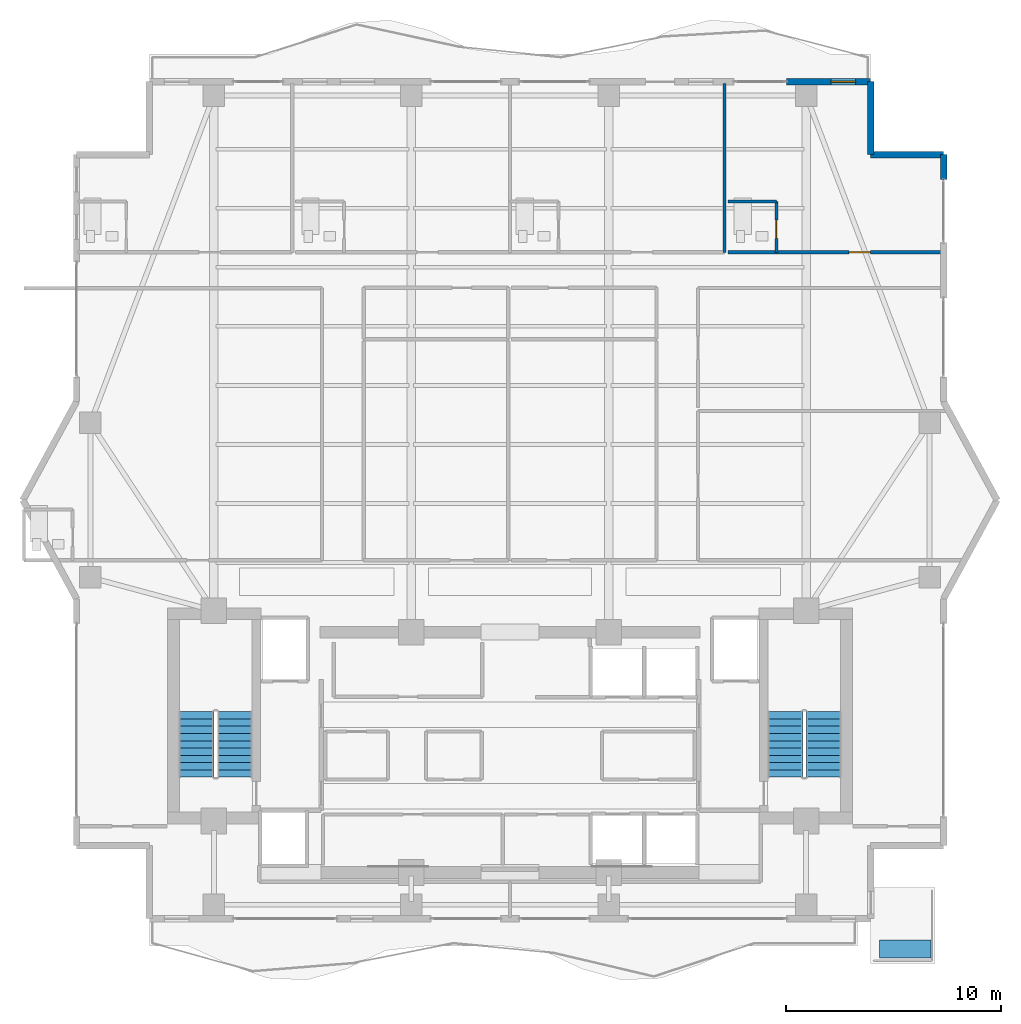
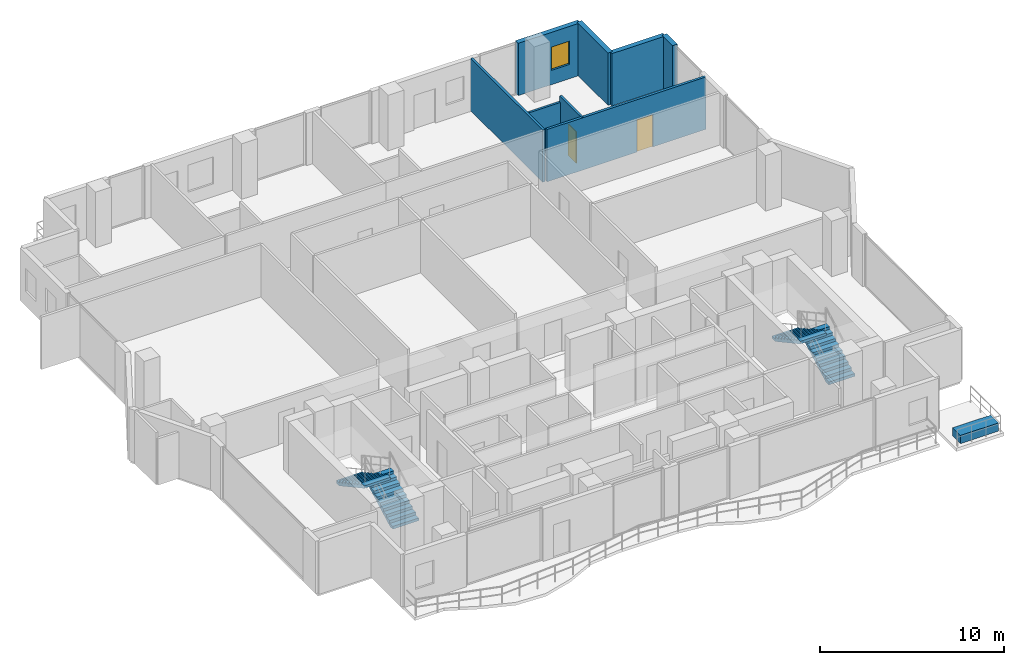
# One storey, part 22 of 25: 8 walls, 4 stair flights, 2 doors, 1 building element part, 1 window, 3 openings, 2 elements without a shape of their own.
"""IFC4 building model written with IfcOpenShell, lengths in metres."""

from ifc_helpers import new_model, si_unit, direction, frame, frame_2d, origin, origin_2d, place, context, subcontext, project, spatial, polyline, rectangle, outline, extrude, material, layer, layer_set, type_object, element, fill, aggregate, save


model = new_model("IFC4")

# Units and contexts
model_context = context("Model", 3, precision=1e-05, world=origin(), true_north=direction((0.0, 1.0)))
body_context = subcontext(model_context, "Body", "Model", "MODEL_VIEW")
ifc_project = project(units=[si_unit("LENGTHUNIT", "METRE"), si_unit("AREAUNIT", "SQUARE_METRE"), si_unit("VOLUMEUNIT", "CUBIC_METRE"), si_unit("PLANEANGLEUNIT", "RADIAN"), si_unit("MASSUNIT", "GRAM", prefix="KILO")], contexts=[model_context])

# Site, building, storey
site_placement = place(None, origin())
site = spatial("IfcSite", under=ifc_project, at=site_placement, CompositionType="ELEMENT")
building_placement = place(site_placement, origin())
building = spatial("IfcBuilding", under=site, at=building_placement, Name="Zuhayl Quay Hotel", CompositionType="ELEMENT")
storey_placement = place(building_placement, frame((0.0, 0.0, 258.14990234375)))
storey = spatial("IfcBuildingStorey", under=building, at=storey_placement, Name="L65", CompositionType="ELEMENT", Elevation=258.14990234375)

# Wall, opening, window
ifc_material_1 = material(Name="Precast concrete C45/55", Category="concrete")
ifc_layer_1 = layer(ifc_material_1, 0.300048828125, Name="Precast concrete C45/55", Category="concrete")
ifc_layer_set_1 = layer_set([ifc_layer_1], Name="Precast concrete C45/55")
wall_type_1 = type_object("IfcWallType", Name="WL_EXT_300", PredefinedType="STANDARD", material=ifc_layer_set_1)
wall_1_placement = place(storey_placement, frame((12.8798828125, 39.0, 0.0), z_axis=(0.0, 0.0, 1.0), x_axis=(1.0, 0.0, 0.0)))
wall_1 = element("IfcWall", 1, at=wall_1_placement, inside=storey, type_object=wall_type_1, Name="L65 Exterior Precast Wall ENV_L65_N_EW5", PredefinedType="STANDARD", context=body_context, shape_type="SweptSolid", body=[
    extrude(rectangle(XDim=3.920166015625, YDim=0.300048828125, at=frame_2d((1.9599609375, 0.0))), origin(), (0.0, 0.0, 1.0), 3.47998046875),
])
opening_1_placement = place(wall_1_placement, frame((2.074951171875, 0.0, 0.949951171875)))
opening_1 = element("IfcOpeningElement", 2, at=opening_1_placement, cuts=wall_1, Name="Opening W01N", PredefinedType="OPENING", context=body_context, shape_type="SweptSolid", body=[
    extrude(rectangle(XDim=1.14990234375, YDim=1.550048828125, at=frame_2d((0.574951171875, 0.77490234375))), frame((0.0, 0.159912109375, 0.0), z_axis=(0.0, -1.0, 0.0), x_axis=(1.0, 0.0, 0.0)), (0.0, 0.0, 1.0), 0.320068359375),
])
ifc_material_2 = material(Name="Dark Ceramic-Fritted Solar Glass", Category="glass")
window_type = type_object("IfcWindowType", Name="WN_NOTCH_1350", PartitioningType="SINGLE_PANEL", PredefinedType="WINDOW", material=ifc_material_2)
window_placement = place(opening_1_placement, origin())
window = element("IfcWindow", 3, at=window_placement, inside=storey, type_object=window_type, Name="L65 Operable Facade Window 5-1", OverallHeight=1.550048828125, OverallWidth=1.14990234375, PartitioningType="SINGLE_PANEL", PredefinedType="WINDOW", context=body_context, shape_type="SweptSolid", body=[
    extrude(rectangle(XDim=1.14990234375, YDim=1.550048828125, at=frame_2d((0.574951171875, 0.77490234375))), frame((0.0, 0.030029296875, 0.0), z_axis=(0.0, -1.0, 0.0), x_axis=(1.0, 0.0, 0.0)), (0.0, 0.0, 1.0), 0.06005859375),
])
fill(opening_1, window)

# Walls
for number, where, z_axis, x_axis, name in (
    (4, (16.800048828125, 39.0, 0.0), (0.0, 0.0, 1.0), (0.0, -1.0, 0.0), "L65 Exterior Precast Wall ENV_L65_EW09"),
    (5, (16.800048828125, 35.60009765625, 0.0), (0.0, 0.0, 1.0), (1.0, 0.0, 0.0), "L65 Exterior Precast Wall ENV_L65_EW10"),
):
    element("IfcWall", number, at=place(storey_placement, frame(where, z_axis=z_axis, x_axis=x_axis)), inside=storey, type_object=wall_type_1, Name=name, PredefinedType="STANDARD", context=body_context, shape_type="SweptSolid", body=[
        extrude(rectangle(XDim=3.39990234375, YDim=0.300048828125, at=frame_2d((1.699951171875, 0.0))), origin(), (0.0, 0.0, 1.0), 3.47998046875),
    ])
wall_2_placement = place(storey_placement, frame((20.199951171875, 35.60009765625, 0.0), z_axis=(0.0, 0.0, 1.0), x_axis=(0.0, -1.0, 0.0)))
element("IfcWall", 6, at=wall_2_placement, inside=storey, type_object=wall_type_1, Name="L65 Exterior Precast Wall ENV_L65_E11_EW1", PredefinedType="STANDARD", context=body_context, shape_type="SweptSolid", body=[
    extrude(rectangle(XDim=1.150146484375, YDim=0.300048828125, at=frame_2d((0.5751953125, 0.0))), origin(), (0.0, 0.0, 1.0), 3.47998046875),
])
ifc_material_3 = material(Name="Acoustic Gypsum Partition STC-58")
ifc_layer_2 = layer(ifc_material_3, 0.14990234375, Name="Acoustic Gypsum Partition STC-58")
ifc_layer_set_2 = layer_set([ifc_layer_2], Name="Acoustic Gypsum Partition STC-58")
wall_type_2 = type_object("IfcWallType", Name="WL_PART_150", PredefinedType="PARTITIONING", material=ifc_layer_set_2)
wall_3_placement = place(storey_placement, frame((9.989990234375, 31.050048828125, 0.0), z_axis=(0.0, 0.0, 1.0), x_axis=(0.0, 1.0, 0.0)))
element("IfcWall", 7, at=wall_3_placement, inside=storey, type_object=wall_type_2, Name="L65 Partition IW_L65_NU02A_E", PredefinedType="PARTITIONING", context=body_context, shape_type="SweptSolid", body=[
    extrude(rectangle(XDim=7.869873046875, YDim=0.14990234375, at=frame_2d((3.93505859375, 0.0))), origin(), (0.0, 0.0, 1.0), 3.47998046875),
])

# Wall, opening, door
ifc_layer_3 = layer(ifc_material_3, 0.159912109375, Name="Acoustic Gypsum Partition STC-58")
ifc_layer_set_3 = layer_set([ifc_layer_3], Name="Acoustic Gypsum Partition STC-58")
wall_type_3 = type_object("IfcWallType", Name="WL_PART_CORR_160", PredefinedType="PARTITIONING", material=ifc_layer_set_3)
wall_4_placement = place(storey_placement, frame((10.14990234375, 31.050048828125, 0.0), z_axis=(0.0, 0.0, 1.0), x_axis=(1.0, 0.0, 0.0)))
wall_4 = element("IfcWall", 8, at=wall_4_placement, inside=storey, type_object=wall_type_3, Name="L65 Partition IW_L65_NU02B_COR", PredefinedType="PARTITIONING", context=body_context, shape_type="SweptSolid", body=[
    extrude(rectangle(XDim=9.989990234375, YDim=0.159912109375, at=frame_2d((4.9951171875, 0.0))), origin(), (0.0, 0.0, 1.0), 3.47998046875),
])
opening_2_placement = place(wall_4_placement, frame((5.64501953125, 0.0, 0.0)))
opening_2 = element("IfcOpeningElement", 9, at=opening_2_placement, cuts=wall_4, Name="Opening D03L", PredefinedType="OPENING", context=body_context, shape_type="SweptSolid", body=[
    extrude(rectangle(XDim=1.0, YDim=2.14990234375, at=frame_2d((0.5, 1.074951171875))), frame((0.0, 0.08984375, 0.0), z_axis=(0.0, -1.0, 0.0), x_axis=(1.0, 0.0, 0.0)), (0.0, 0.0, 1.0), 0.179931640625),
])
ifc_material_4 = material(Name="Solid Walnut Acoustic Fire Door")
door_type_1 = type_object("IfcDoorType", Name="DR_SUITE_1000", OperationType="NOTDEFINED", PredefinedType="DOOR", material=ifc_material_4)
door_1_placement = place(opening_2_placement, origin())
door_1 = element("IfcDoor", 10, at=door_1_placement, inside=storey, type_object=door_type_1, Name="L65 Royal Gulf Suite L65-02B Entrance Door", OperationType="SINGLE_SWING_LEFT", OverallHeight=2.14990234375, OverallWidth=1.0, PredefinedType="DOOR", context=body_context, shape_type="SweptSolid", body=[
    extrude(rectangle(XDim=1.0, YDim=2.14990234375, at=frame_2d((0.5, 1.074951171875))), frame((0.0, 0.02490234375, 0.0), z_axis=(0.0, -1.0, 0.0), x_axis=(1.0, 0.0, 0.0)), (0.0, 0.0, 1.0), 0.050048828125),
])
fill(opening_2, door_1)

ifc_material_5 = material(Name="Moisture-Resistant Sanitarychase Gypsum")
ifc_layer_4 = layer(ifc_material_5, 0.135009765625, Name="Moisture-Resistant Sanitarychase Gypsum")
ifc_layer_set_4 = layer_set([ifc_layer_4], Name="Moisture-Resistant Sanitarychase Gypsum")
wall_type_4 = type_object("IfcWallType", Name="WL_PART_PLUMB_150", PredefinedType="PLUMBINGWALL", material=ifc_layer_set_4)
wall_5_placement = place(storey_placement, frame((12.409912109375, 31.050048828125, 0.0), z_axis=(0.0, 0.0, 1.0), x_axis=(0.0, 1.0, 0.0)))
wall_5 = element("IfcWall", 11, at=wall_5_placement, inside=storey, type_object=wall_type_4, Name="L65 Partition IW_L65_NU02B_BE", PredefinedType="PLUMBINGWALL", context=body_context, shape_type="SweptSolid", body=[
    extrude(rectangle(XDim=2.35986328125, YDim=0.135009765625, at=frame_2d((1.179931640625, 0.0))), origin(), (0.0, 0.0, 1.0), 3.47998046875),
])
opening_3_placement = place(wall_5_placement, frame((0.64990234375, 0.0, 0.0)))
opening_3 = element("IfcOpeningElement", 12, at=opening_3_placement, cuts=wall_5, Name="Opening D04", PredefinedType="OPENING", context=body_context, shape_type="SweptSolid", body=[
    extrude(rectangle(XDim=0.85009765625, YDim=2.10009765625, at=frame_2d((0.425048828125, 1.050048828125))), frame((0.0, 0.077392578125, 0.0), z_axis=(0.0, -1.0, 0.0), x_axis=(1.0, 0.0, 0.0)), (0.0, 0.0, 1.0), 0.155029296875),
])
ifc_material_6 = material(Name="Moisture-Resistant Walnut Veneer")
door_type_2 = type_object("IfcDoorType", Name="DR_BATH_850", OperationType="NOTDEFINED", PredefinedType="DOOR", material=ifc_material_6)
door_2_placement = place(opening_3_placement, origin())
door_2 = element("IfcDoor", 13, at=door_2_placement, inside=storey, type_object=door_type_2, Name="L65 Royal Gulf Suite L65-02B En-Suite Door", OperationType="SINGLE_SWING_RIGHT", OverallHeight=2.10009765625, OverallWidth=0.85009765625, PredefinedType="DOOR", context=body_context, shape_type="SweptSolid", body=[
    extrude(rectangle(XDim=0.85009765625, YDim=2.10009765625, at=frame_2d((0.425048828125, 1.050048828125))), frame((0.0, 0.02490234375, 0.0), z_axis=(0.0, -1.0, 0.0), x_axis=(1.0, 0.0, 0.0)), (0.0, 0.0, 1.0), 0.050048828125),
])
fill(opening_3, door_2)

# Wall
wall_6_placement = place(storey_placement, frame((10.14990234375, 33.409912109375, 0.0), z_axis=(0.0, 0.0, 1.0), x_axis=(1.0, 0.0, 0.0)))
element("IfcWall", 14, at=wall_6_placement, inside=storey, type_object=wall_type_4, Name="L65 Partition IW_L65_NU02B_BN", PredefinedType="PLUMBINGWALL", context=body_context, shape_type="SweptSolid", body=[
    extrude(rectangle(XDim=2.260009765625, YDim=0.135009765625, at=frame_2d((1.1298828125, 0.0))), origin(), (0.0, 0.0, 1.0), 3.076171875),
])

# Stair, stair flights
ifc_material_7 = material(Name="Concrete C45/55", Category="concrete")
stair_type = type_object("IfcStairType", Name="ST_DOGLEG_TOWER", PredefinedType="HALF_TURN_STAIR", material=ifc_material_7)
stair_1_placement = place(storey_placement, origin())
stair_1 = element("IfcStair", 15, at=stair_1_placement, inside=storey, type_object=stair_type, Name="L65 Smokeproof Exit Stair ST1", PredefinedType="HALF_TURN_STAIR")
ifc_layer_5 = layer(ifc_material_7, 0.159912109375, Name="Concrete C45/55", Category="concrete")
ifc_layer_set_5 = layer_set([ifc_layer_5], Name="Concrete C45/55")
stair_flight_type = type_object("IfcStairFlightType", Name="SF_CONC_164", PredefinedType="STRAIGHT", material=ifc_layer_set_5)
stair_flight_1_placement = place(storey_placement, frame((-12.820068359375, 6.590087890625, 0.0), z_axis=(0.0, 0.0, 1.0), x_axis=(0.0, 1.0, 0.0)))
stair_flight_1 = element("IfcStairFlight", 16, at=stair_flight_1_placement, type_object=stair_flight_type, Name="ST1 flight 1", NumberOfRisers=10, NumberOfTreads=9, PredefinedType="STRAIGHT", RiserHeight=0.185, TreadLength=0.34, context=body_context, shape_type="SweptSolid", body=[
    extrude(outline(polyline([(0.0, 0.0), (0.0, 0.18505859375), (0.340087890625, 0.18505859375), (0.340087890625, 0.3701171875), (0.679931640625, 0.3701171875), (0.679931640625, 0.554931640625), (1.02001953125, 0.554931640625), (1.02001953125, 0.739990234375), (1.360107421875, 0.739990234375), (1.360107421875, 0.925048828125), (1.699951171875, 0.925048828125), (1.699951171875, 1.110107421875), (2.0400390625, 1.110107421875), (2.0400390625, 1.294921875), (2.3798828125, 1.294921875), (2.3798828125, 1.47998046875), (2.719970703125, 1.47998046875), (2.719970703125, 1.6650390625), (3.06005859375, 1.6650390625), (3.06005859375, 1.85009765625), (3.06005859375, 1.494384765625), (0.313720703125, 0.0), (0.0, 0.0)])), frame((0.0, 0.81982421875, 0.0), z_axis=(0.0, -1.0, 0.0), x_axis=(1.0, 0.0, 0.0)), (0.0, 0.0, 1.0), 1.639892578125),
])
stair_flight_2_placement = place(storey_placement, frame((-14.610107421875, 9.64990234375, 1.85009765625), z_axis=(0.0, 0.0, 1.0), x_axis=(0.0, -1.0, 0.0)))
stair_flight_2 = element("IfcStairFlight", 17, at=stair_flight_2_placement, type_object=stair_flight_type, Name="ST1 flight 2", NumberOfRisers=10, NumberOfTreads=9, PredefinedType="STRAIGHT", RiserHeight=0.185, TreadLength=0.34, context=body_context, shape_type="SweptSolid", body=[
    extrude(outline(polyline([(0.0, 0.0), (0.0, 0.18505859375), (0.340087890625, 0.18505859375), (0.340087890625, 0.3701171875), (0.679931640625, 0.3701171875), (0.679931640625, 0.554931640625), (1.02001953125, 0.554931640625), (1.02001953125, 0.739990234375), (1.360107421875, 0.739990234375), (1.360107421875, 0.925048828125), (1.699951171875, 0.925048828125), (1.699951171875, 1.110107421875), (2.0400390625, 1.110107421875), (2.0400390625, 1.294921875), (2.3798828125, 1.294921875), (2.3798828125, 1.47998046875), (2.719970703125, 1.47998046875), (2.719970703125, 1.6650390625), (3.06005859375, 1.6650390625), (3.06005859375, 1.85009765625), (3.06005859375, 1.494384765625), (0.313720703125, 0.0), (0.0, 0.0)])), frame((0.0, 0.81982421875, 0.0), z_axis=(0.0, -1.0, 0.0), x_axis=(1.0, 0.0, 0.0)), (0.0, 0.0, 1.0), 1.639892578125),
])
aggregate(stair_1, [stair_flight_1, stair_flight_2])

stair_2_placement = place(storey_placement, origin())
stair_2 = element("IfcStair", 18, at=stair_2_placement, inside=storey, type_object=stair_type, Name="L65 Smokeproof Exit Stair ST2", PredefinedType="HALF_TURN_STAIR")
stair_flight_3_placement = place(storey_placement, frame((14.610107421875, 6.590087890625, 0.0), z_axis=(0.0, 0.0, 1.0), x_axis=(0.0, 1.0, 0.0)))
stair_flight_3 = element("IfcStairFlight", 19, at=stair_flight_3_placement, type_object=stair_flight_type, Name="ST2 flight 1", NumberOfRisers=10, NumberOfTreads=9, PredefinedType="STRAIGHT", RiserHeight=0.185, TreadLength=0.34, context=body_context, shape_type="SweptSolid", body=[
    extrude(outline(polyline([(0.0, 0.0), (0.0, 0.18505859375), (0.340087890625, 0.18505859375), (0.340087890625, 0.3701171875), (0.679931640625, 0.3701171875), (0.679931640625, 0.554931640625), (1.02001953125, 0.554931640625), (1.02001953125, 0.739990234375), (1.360107421875, 0.739990234375), (1.360107421875, 0.925048828125), (1.699951171875, 0.925048828125), (1.699951171875, 1.110107421875), (2.0400390625, 1.110107421875), (2.0400390625, 1.294921875), (2.3798828125, 1.294921875), (2.3798828125, 1.47998046875), (2.719970703125, 1.47998046875), (2.719970703125, 1.6650390625), (3.06005859375, 1.6650390625), (3.06005859375, 1.85009765625), (3.06005859375, 1.494384765625), (0.313720703125, 0.0), (0.0, 0.0)])), frame((0.0, 0.81982421875, 0.0), z_axis=(0.0, -1.0, 0.0), x_axis=(1.0, 0.0, 0.0)), (0.0, 0.0, 1.0), 1.639892578125),
])
stair_flight_4_placement = place(storey_placement, frame((12.820068359375, 9.64990234375, 1.85009765625), z_axis=(0.0, 0.0, 1.0), x_axis=(0.0, -1.0, 0.0)))
stair_flight_4 = element("IfcStairFlight", 20, at=stair_flight_4_placement, type_object=stair_flight_type, Name="ST2 flight 2", NumberOfRisers=10, NumberOfTreads=9, PredefinedType="STRAIGHT", RiserHeight=0.185, TreadLength=0.34, context=body_context, shape_type="SweptSolid", body=[
    extrude(outline(polyline([(0.0, 0.0), (0.0, 0.18505859375), (0.340087890625, 0.18505859375), (0.340087890625, 0.3701171875), (0.679931640625, 0.3701171875), (0.679931640625, 0.554931640625), (1.02001953125, 0.554931640625), (1.02001953125, 0.739990234375), (1.360107421875, 0.739990234375), (1.360107421875, 0.925048828125), (1.699951171875, 0.925048828125), (1.699951171875, 1.110107421875), (2.0400390625, 1.110107421875), (2.0400390625, 1.294921875), (2.3798828125, 1.294921875), (2.3798828125, 1.47998046875), (2.719970703125, 1.47998046875), (2.719970703125, 1.6650390625), (3.06005859375, 1.6650390625), (3.06005859375, 1.85009765625), (3.06005859375, 1.494384765625), (0.313720703125, 0.0), (0.0, 0.0)])), frame((0.0, 0.81982421875, 0.0), z_axis=(0.0, -1.0, 0.0), x_axis=(1.0, 0.0, 0.0)), (0.0, 0.0, 1.0), 1.639892578125),
])
aggregate(stair_2, [stair_flight_3, stair_flight_4])

# Building element part
ifc_layer_6 = layer(ifc_material_1, 0.550048828125, Name="Precast concrete C45/55", Category="concrete")
ifc_layer_set_6 = layer_set([ifc_layer_6], Name="Precast concrete C45/55")
building_element_part_type = type_object("IfcBuildingElementPartType", Name="PT_PLANTER_KERB", PredefinedType="PRECASTPANEL", material=ifc_layer_set_6)
building_element_part_placement = place(storey_placement, frame((18.409912109375, -1.409912109375, 0.0), z_axis=(0.0, 0.0, 1.0), x_axis=(1.0, 0.0, 0.0)))
element("IfcBuildingElementPart", 21, at=building_element_part_placement, inside=storey, type_object=building_element_part_type, Name="L65 Spiral Sky-Terrace Planter Box SE", PredefinedType="PRECASTPANEL", context=body_context, shape_type="SweptSolid", body=[
    extrude(rectangle(XDim=2.39990234375, YDim=0.85009765625, at=origin_2d()), origin(), (0.0, 0.0, 1.0), 0.550048828125),
])

save(model, "model.ifc")
